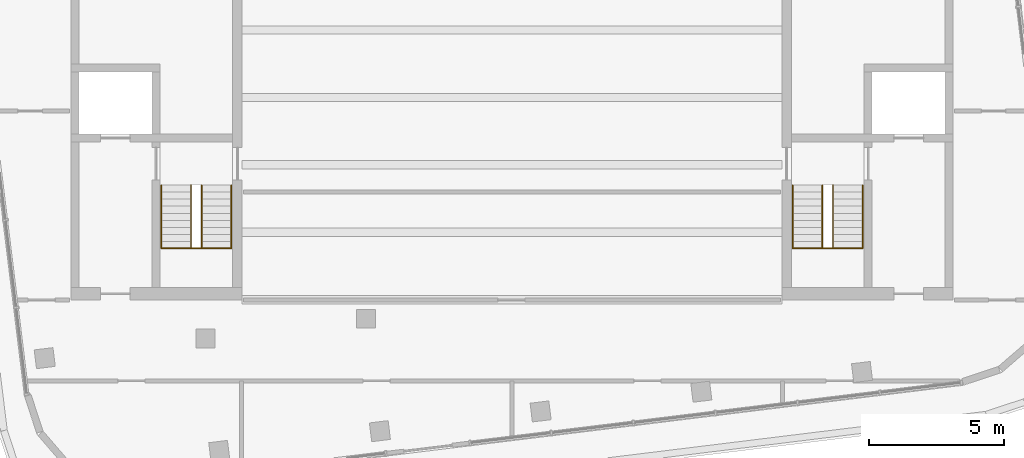
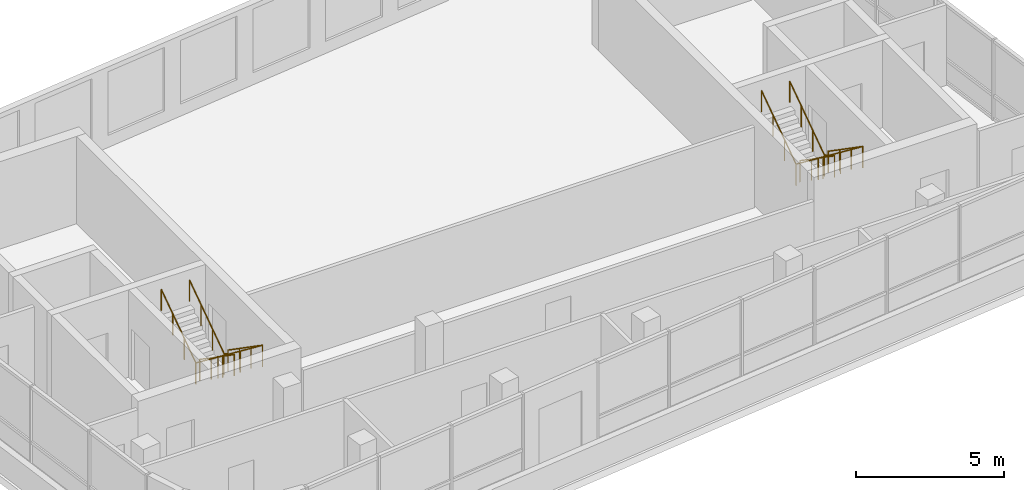
# One storey, part 7 of 7: 4 railings.
"""IFC4 building model written with IfcOpenShell, lengths in metres."""

from ifc_helpers import new_model, si_unit, direction, frame, origin, origin_2d, place, context, subcontext, project, spatial, circle, extrude, material, type_object, element, save


model = new_model("IFC4")

# Units and contexts
model_context = context("Model", 3, precision=1e-05, world=origin(), true_north=direction((0.0, 1.0)))
body_context = subcontext(model_context, "Body", "Model", "MODEL_VIEW")
ifc_project = project(units=[si_unit("LENGTHUNIT", "METRE"), si_unit("AREAUNIT", "SQUARE_METRE"), si_unit("VOLUMEUNIT", "CUBIC_METRE"), si_unit("PLANEANGLEUNIT", "RADIAN"), si_unit("MASSUNIT", "GRAM", prefix="KILO")], contexts=[model_context])

# Site, building, storey
site_placement = place(None, origin())
site = spatial("IfcSite", under=ifc_project, at=site_placement, CompositionType="ELEMENT")
building_placement = place(site_placement, origin())
building = spatial("IfcBuilding", under=site, at=building_placement, Name="Torana Hotel and Residences", CompositionType="ELEMENT")
storey_placement = place(building_placement, frame((0.0, 0.0, 353.800048828125)))
storey = spatial("IfcBuildingStorey", under=building, at=storey_placement, Name="C3", CompositionType="ELEMENT", Elevation=353.800048828125)

# Railings
ifc_material = material(Name="Stainless steel 316", Category="steel")
railing_type = type_object("IfcRailingType", Name="STAIR HANDRAIL HR1 900", PredefinedType="HANDRAIL", material=ifc_material)
railing_1_placement = place(storey_placement, frame((-10.39990234375, -10.75, 0.179931640625)))
element("IfcRailing", 1, at=railing_1_placement, inside=storey, type_object=railing_type, Name="Handrail ST1 C3 O1", PredefinedType="HANDRAIL", context=body_context, shape_type="SweptSolid", body=[
    extrude(circle(Radius=0.02392578125, at=origin_2d()), frame((0.0, 0.0, 0.8759765625), z_axis=(0.0, -0.822182927502, 0.569223360136), x_axis=(1.0, 0.0, 0.0)), (0.0, 0.0, 1.0), 2.84619140625),
    extrude(circle(Radius=0.02392578125, at=origin_2d()), frame((0.0, -2.340087890625, 2.49609375), z_axis=(-0.997614115953, 0.0, 0.069036770278), x_axis=(0.0, -1.0, 0.0)), (0.0, 0.0, 1.0), 2.606201171875),
    extrude(circle(Radius=0.02392578125, at=origin_2d()), frame((-2.60009765625, -2.340087890625, 2.67578125), z_axis=(0.0, 0.822223072051, 0.569165371211), x_axis=(-1.0, 0.0, 0.0)), (0.0, 0.0, 1.0), 2.845947265625),
    extrude(circle(Radius=0.02099609375, at=origin_2d()), origin(), (0.0, 0.0, 1.0), 0.851806640625),
    extrude(circle(Radius=0.02099609375, at=origin_2d()), frame((0.0, -0.780029296875, 0.5400390625)), (0.0, 0.0, 1.0), 0.851806640625),
    extrude(circle(Radius=0.02099609375, at=origin_2d()), frame((0.0, -1.56005859375, 1.080078125)), (0.0, 0.0, 1.0), 0.851806640625),
    extrude(circle(Radius=0.02099609375, at=origin_2d()), frame((0.0, -2.340087890625, 1.6201171875)), (0.0, 0.0, 1.0), 0.851806640625),
    extrude(circle(Radius=0.02099609375, at=origin_2d()), frame((-0.86669921875, -2.340087890625, 1.68017578125)), (0.0, 0.0, 1.0), 0.851806640625),
    extrude(circle(Radius=0.02099609375, at=origin_2d()), frame((-1.7333984375, -2.340087890625, 1.739990234375)), (0.0, 0.0, 1.0), 0.851806640625),
    extrude(circle(Radius=0.02099609375, at=origin_2d()), frame((-2.60009765625, -2.340087890625, 1.800048828125)), (0.0, 0.0, 1.0), 0.851806640625),
    extrude(circle(Radius=0.02099609375, at=origin_2d()), frame((-2.60009765625, -1.56005859375, 2.340087890625)), (0.0, 0.0, 1.0), 0.851806640625),
    extrude(circle(Radius=0.02099609375, at=origin_2d()), frame((-2.60009765625, -0.780029296875, 2.8798828125)), (0.0, 0.0, 1.0), 0.851806640625),
    extrude(circle(Radius=0.02099609375, at=origin_2d()), frame((-2.60009765625, 0.0, 3.419921875)), (0.0, 0.0, 1.0), 0.851806640625),
])
railing_2_placement = place(storey_placement, frame((-11.5, -10.75, 0.179931640625)))
element("IfcRailing", 2, at=railing_2_placement, inside=storey, type_object=railing_type, Name="Handrail ST1 C3 I1", PredefinedType="HANDRAIL", context=body_context, shape_type="SweptSolid", body=[
    extrude(circle(Radius=0.02392578125, at=origin_2d()), frame((0.0, 0.0, 0.8759765625), z_axis=(0.0, -0.822182927502, 0.569223360136), x_axis=(1.0, 0.0, 0.0)), (0.0, 0.0, 1.0), 2.84619140625),
    extrude(circle(Radius=0.02392578125, at=origin_2d()), frame((0.0, -2.340087890625, 2.49609375), z_axis=(-0.911942338396, 0.0, 0.410318378143), x_axis=(0.0, -1.0, 0.0)), (0.0, 0.0, 1.0), 0.4384765625),
    extrude(circle(Radius=0.02392578125, at=origin_2d()), frame((-0.39990234375, -2.340087890625, 2.67578125), z_axis=(0.0, 0.822223072051, 0.569165371211), x_axis=(-1.0, 0.0, 0.0)), (0.0, 0.0, 1.0), 2.845947265625),
    extrude(circle(Radius=0.02099609375, at=origin_2d()), origin(), (0.0, 0.0, 1.0), 0.851806640625),
    extrude(circle(Radius=0.02099609375, at=origin_2d()), frame((0.0, -0.780029296875, 0.5400390625)), (0.0, 0.0, 1.0), 0.851806640625),
    extrude(circle(Radius=0.02099609375, at=origin_2d()), frame((0.0, -1.56005859375, 1.080078125)), (0.0, 0.0, 1.0), 0.851806640625),
    extrude(circle(Radius=0.02099609375, at=origin_2d()), frame((0.0, -2.340087890625, 1.6201171875)), (0.0, 0.0, 1.0), 0.851806640625),
    extrude(circle(Radius=0.02099609375, at=origin_2d()), frame((-0.39990234375, -2.340087890625, 1.800048828125)), (0.0, 0.0, 1.0), 0.851806640625),
    extrude(circle(Radius=0.02099609375, at=origin_2d()), frame((-0.39990234375, -1.56005859375, 2.340087890625)), (0.0, 0.0, 1.0), 0.851806640625),
    extrude(circle(Radius=0.02099609375, at=origin_2d()), frame((-0.39990234375, -0.780029296875, 2.8798828125)), (0.0, 0.0, 1.0), 0.851806640625),
    extrude(circle(Radius=0.02099609375, at=origin_2d()), frame((-0.39990234375, 0.0, 3.419921875)), (0.0, 0.0, 1.0), 0.851806640625),
])
railing_3_placement = place(storey_placement, frame((13.0, -10.75, 0.179931640625)))
element("IfcRailing", 3, at=railing_3_placement, inside=storey, type_object=railing_type, Name="Handrail ST3 C3 O1", PredefinedType="HANDRAIL", context=body_context, shape_type="SweptSolid", body=[
    extrude(circle(Radius=0.02392578125, at=origin_2d()), frame((0.0, 0.0, 0.8759765625), z_axis=(0.0, -0.822182927502, 0.569223360136), x_axis=(1.0, 0.0, 0.0)), (0.0, 0.0, 1.0), 2.84619140625),
    extrude(circle(Radius=0.02392578125, at=origin_2d()), frame((0.0, -2.340087890625, 2.49609375), z_axis=(-0.997614115953, 0.0, 0.069036770278), x_axis=(0.0, -1.0, 0.0)), (0.0, 0.0, 1.0), 2.606201171875),
    extrude(circle(Radius=0.02392578125, at=origin_2d()), frame((-2.60009765625, -2.340087890625, 2.67578125), z_axis=(0.0, 0.822223072051, 0.569165371211), x_axis=(-1.0, 0.0, 0.0)), (0.0, 0.0, 1.0), 2.845947265625),
    extrude(circle(Radius=0.02099609375, at=origin_2d()), origin(), (0.0, 0.0, 1.0), 0.851806640625),
    extrude(circle(Radius=0.02099609375, at=origin_2d()), frame((0.0, -0.780029296875, 0.5400390625)), (0.0, 0.0, 1.0), 0.851806640625),
    extrude(circle(Radius=0.02099609375, at=origin_2d()), frame((0.0, -1.56005859375, 1.080078125)), (0.0, 0.0, 1.0), 0.851806640625),
    extrude(circle(Radius=0.02099609375, at=origin_2d()), frame((0.0, -2.340087890625, 1.6201171875)), (0.0, 0.0, 1.0), 0.851806640625),
    extrude(circle(Radius=0.02099609375, at=origin_2d()), frame((-0.86669921875, -2.340087890625, 1.68017578125)), (0.0, 0.0, 1.0), 0.851806640625),
    extrude(circle(Radius=0.02099609375, at=origin_2d()), frame((-1.7333984375, -2.340087890625, 1.739990234375)), (0.0, 0.0, 1.0), 0.851806640625),
    extrude(circle(Radius=0.02099609375, at=origin_2d()), frame((-2.60009765625, -2.340087890625, 1.800048828125)), (0.0, 0.0, 1.0), 0.851806640625),
    extrude(circle(Radius=0.02099609375, at=origin_2d()), frame((-2.60009765625, -1.56005859375, 2.340087890625)), (0.0, 0.0, 1.0), 0.851806640625),
    extrude(circle(Radius=0.02099609375, at=origin_2d()), frame((-2.60009765625, -0.780029296875, 2.8798828125)), (0.0, 0.0, 1.0), 0.851806640625),
    extrude(circle(Radius=0.02099609375, at=origin_2d()), frame((-2.60009765625, 0.0, 3.419921875)), (0.0, 0.0, 1.0), 0.851806640625),
])
railing_4_placement = place(storey_placement, frame((11.89990234375, -10.75, 0.179931640625)))
element("IfcRailing", 4, at=railing_4_placement, inside=storey, type_object=railing_type, Name="Handrail ST3 C3 I1", PredefinedType="HANDRAIL", context=body_context, shape_type="SweptSolid", body=[
    extrude(circle(Radius=0.02392578125, at=origin_2d()), frame((0.0, 0.0, 0.8759765625), z_axis=(0.0, -0.822182927502, 0.569223360136), x_axis=(1.0, 0.0, 0.0)), (0.0, 0.0, 1.0), 2.84619140625),
    extrude(circle(Radius=0.02392578125, at=origin_2d()), frame((0.0, -2.340087890625, 2.49609375), z_axis=(-0.911942338396, 0.0, 0.410318378143), x_axis=(0.0, -1.0, 0.0)), (0.0, 0.0, 1.0), 0.4384765625),
    extrude(circle(Radius=0.02392578125, at=origin_2d()), frame((-0.39990234375, -2.340087890625, 2.67578125), z_axis=(0.0, 0.822223072051, 0.569165371211), x_axis=(-1.0, 0.0, 0.0)), (0.0, 0.0, 1.0), 2.845947265625),
    extrude(circle(Radius=0.02099609375, at=origin_2d()), origin(), (0.0, 0.0, 1.0), 0.851806640625),
    extrude(circle(Radius=0.02099609375, at=origin_2d()), frame((0.0, -0.780029296875, 0.5400390625)), (0.0, 0.0, 1.0), 0.851806640625),
    extrude(circle(Radius=0.02099609375, at=origin_2d()), frame((0.0, -1.56005859375, 1.080078125)), (0.0, 0.0, 1.0), 0.851806640625),
    extrude(circle(Radius=0.02099609375, at=origin_2d()), frame((0.0, -2.340087890625, 1.6201171875)), (0.0, 0.0, 1.0), 0.851806640625),
    extrude(circle(Radius=0.02099609375, at=origin_2d()), frame((-0.39990234375, -2.340087890625, 1.800048828125)), (0.0, 0.0, 1.0), 0.851806640625),
    extrude(circle(Radius=0.02099609375, at=origin_2d()), frame((-0.39990234375, -1.56005859375, 2.340087890625)), (0.0, 0.0, 1.0), 0.851806640625),
    extrude(circle(Radius=0.02099609375, at=origin_2d()), frame((-0.39990234375, -0.780029296875, 2.8798828125)), (0.0, 0.0, 1.0), 0.851806640625),
    extrude(circle(Radius=0.02099609375, at=origin_2d()), frame((-0.39990234375, 0.0, 3.419921875)), (0.0, 0.0, 1.0), 0.851806640625),
])

save(model, "model.ifc")
